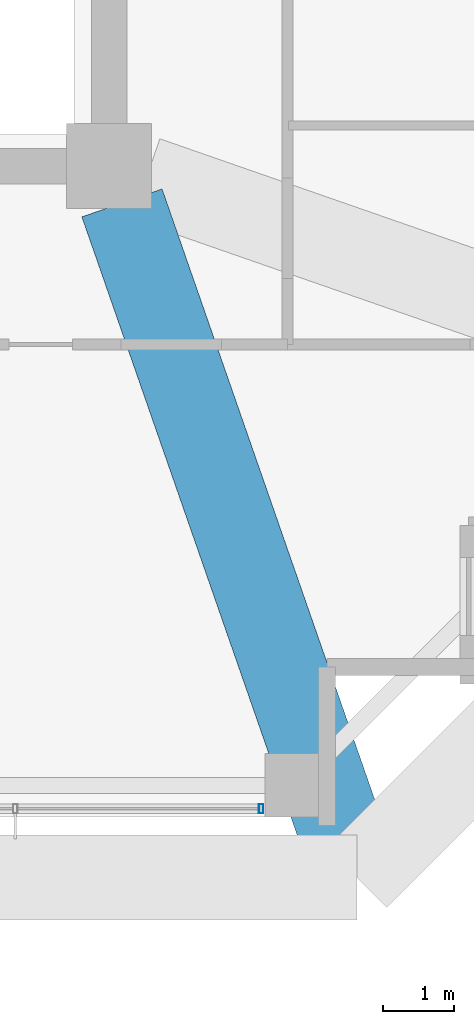
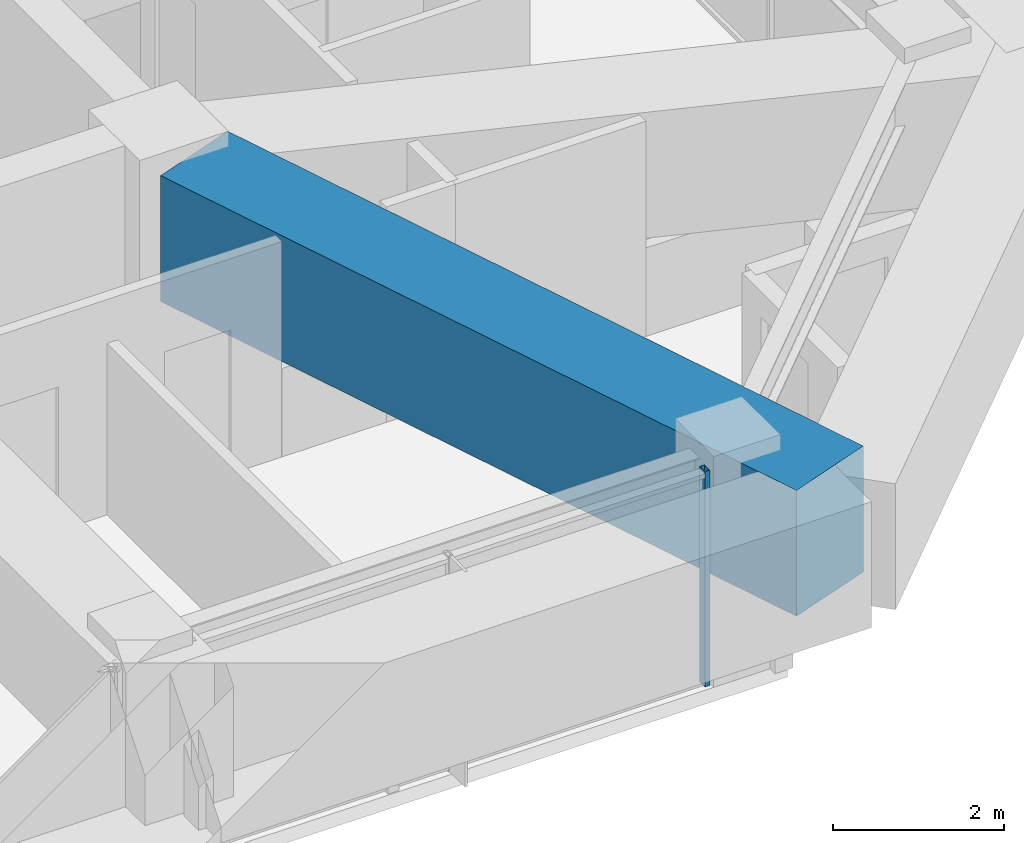
# One storey, part 15 of 40: 1 beam, 1 member, 1 element without a shape of its own.
"""IFC4 building model written with IfcOpenShell, lengths in metres."""

from ifc_helpers import new_model, si_unit, direction, frame, origin, origin_2d, place, context, subcontext, project, spatial, rectangle, hollow_rectangle, extrude, material, material_profile, profile_set, type_object, element, aggregate, save


model = new_model("IFC4")

# Units and contexts
model_context = context("Model", 3, precision=1e-05, world=origin(), true_north=direction((0.0, 1.0)))
body_context = subcontext(model_context, "Body", "Model", "MODEL_VIEW")
ifc_project = project(units=[si_unit("LENGTHUNIT", "METRE"), si_unit("AREAUNIT", "SQUARE_METRE"), si_unit("VOLUMEUNIT", "CUBIC_METRE"), si_unit("PLANEANGLEUNIT", "RADIAN"), si_unit("MASSUNIT", "GRAM", prefix="KILO")], contexts=[model_context])

# Site, building, storey
site_placement = place(None, origin())
site = spatial("IfcSite", under=ifc_project, at=site_placement, CompositionType="ELEMENT")
building_placement = place(site_placement, origin())
building = spatial("IfcBuilding", under=site, at=building_placement, Name="Kolvaren Belvedere", CompositionType="ELEMENT")
storey_placement = place(building_placement, frame((0.0, 0.0, 170.10009765625)))
storey = spatial("IfcBuildingStorey", under=building, at=storey_placement, Name="L49", CompositionType="ELEMENT", Elevation=170.10009765625)

# Beam
ifc_material_1 = material(Name="Concrete C50/60", Category="concrete")
ifc_material_profile_1 = material_profile(ifc_material_1, rectangle(XDim=1.199951171875, YDim=1.800048828125, at=origin_2d()), Name="RC 1200X1800")
ifc_profile_set_1 = profile_set([ifc_material_profile_1], Name="Concrete C50/60")
beam_type = type_object("IfcBeamType", Name="BM-TG-1800", PredefinedType="BEAM", material=ifc_profile_set_1)
beam_placement = place(storey_placement, frame((10.080810546875, -10.41943359375, 2.179931640625), z_axis=(0.328902560054, -0.944363863132, 0.0), x_axis=(0.944363863132, 0.328902560054, 0.0)))
element("IfcBeam", 1, at=beam_placement, inside=storey, type_object=beam_type, Name="L49 Corner Core-to-Perimeter Girder CC2-S4", PredefinedType="BEAM", context=body_context, shape_type="SweptSolid", body=[
    extrude(rectangle(XDim=1.199951171875, YDim=1.800048828125, at=origin_2d()), origin(), (0.0, 0.0, 1.0), 9.842041015625),
])

# Curtain wall, member
ifc_material_2 = material(Name="Anodised pale-metal aluminium AA 6063-T6", Category="aluminium")
curtain_wall_type = type_object("IfcCurtainWallType", Name="CW-Z3-WAIST", PredefinedType="NOTDEFINED", material=ifc_material_2)
curtain_wall_placement = place(storey_placement, origin())
curtain_wall = element("IfcCurtainWall", 2, at=curtain_wall_placement, inside=storey, type_object=curtain_wall_type, Name="L49 Unitised Curtain Wall FCW-L49-S-B1", PredefinedType="NOTDEFINED")
ifc_material_3 = material(Name="Anodised pale-metal aluminium AA 6063-T6", Category="aluminium")
ifc_material_profile_2 = material_profile(ifc_material_3, hollow_rectangle(XDim=0.06494140625, YDim=0.1298828125, WallThickness=0.00390625, at=origin_2d()), Name="ALU-MUL-130X65")
ifc_profile_set_2 = profile_set([ifc_material_profile_2], Name="Anodised pale-metal aluminium AA 6063-T6")
member_type = type_object("IfcMemberType", Name="CW-MUL-130", PredefinedType="MULLION", material=ifc_profile_set_2)
member_placement = place(storey_placement, frame((12.047607421875, -18.97998046875, 0.0), z_axis=(0.0, 0.0, 1.0), x_axis=(1.0, 0.0, 0.0)))
member = element("IfcMember", 3, at=member_placement, type_object=member_type, Name="FCW-L49-S-B1 Unitised Mullion 1", PredefinedType="MULLION", context=body_context, shape_type="SweptSolid", body=[
    extrude(hollow_rectangle(XDim=0.06494140625, YDim=0.1298828125, WallThickness=0.00390625, at=origin_2d()), origin(), (0.0, 0.0, 1.0), 3.079833984375),
])
aggregate(curtain_wall, [member])

save(model, "model.ifc")
